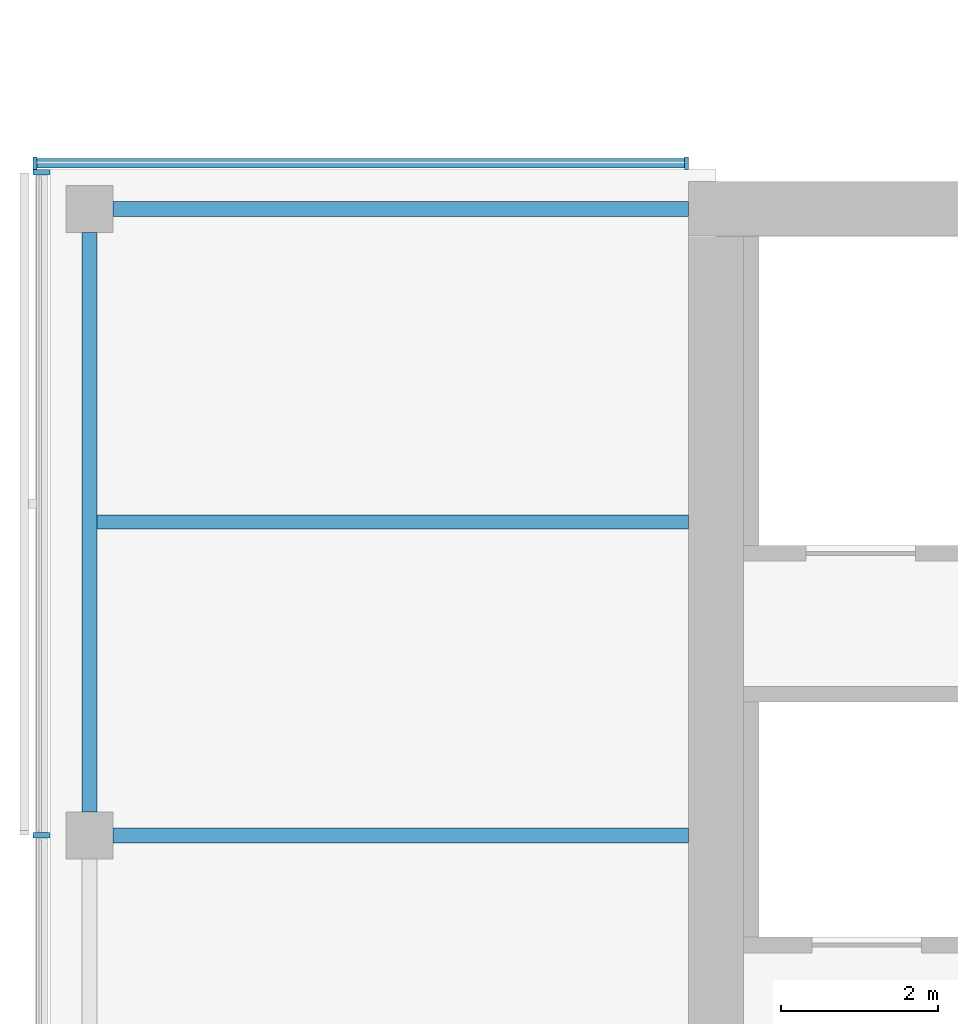
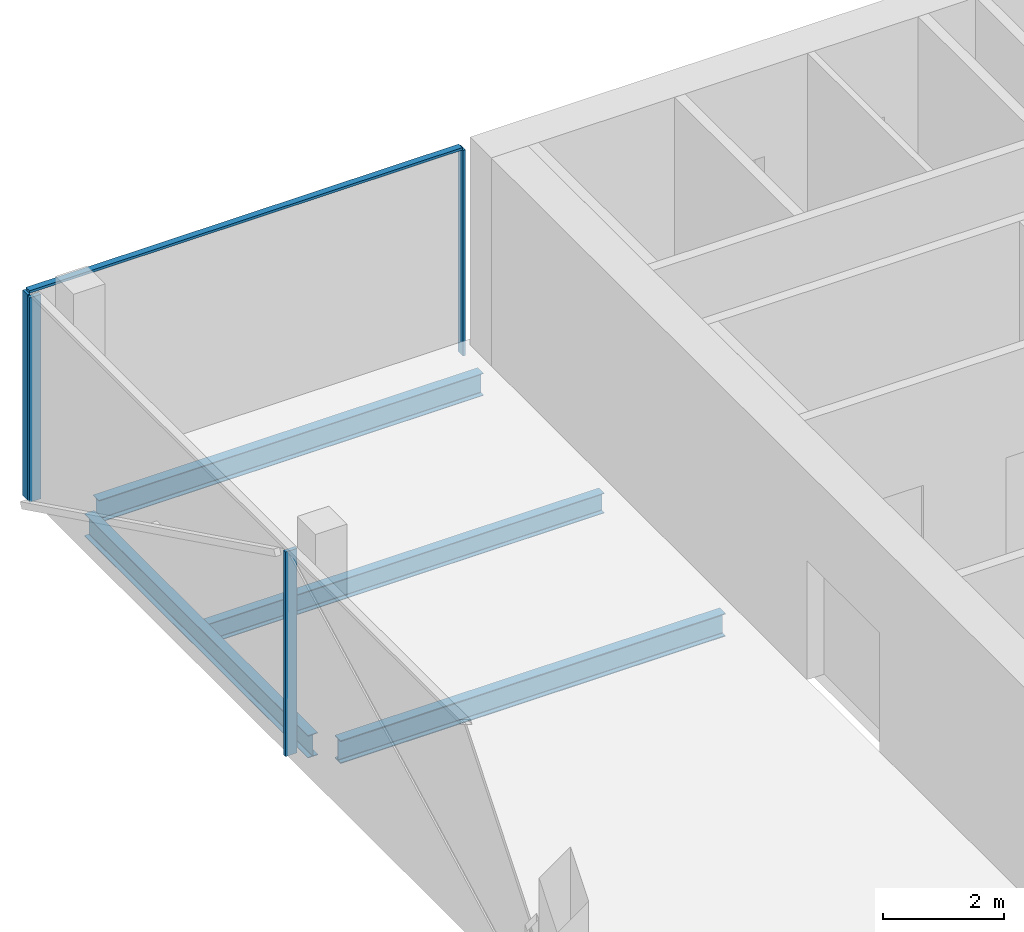
# One storey, part 7 of 22: 5 members, 4 beams, 2 elements without a shape of their own.
"""IFC4 building model written with IfcOpenShell, lengths in metres."""

from ifc_helpers import new_model, si_unit, direction, frame, origin, origin_2d, place, context, subcontext, project, spatial, rectangle, i_section, extrude, material, material_profile, profile_set, type_object, element, aggregate, save


model = new_model("IFC4")

# Units and contexts
model_context = context("Model", 3, precision=1e-05, world=origin(), true_north=direction((0.0, 1.0)))
body_context = subcontext(model_context, "Body", "Model", "MODEL_VIEW")
ifc_project = project(units=[si_unit("LENGTHUNIT", "METRE"), si_unit("AREAUNIT", "SQUARE_METRE"), si_unit("VOLUMEUNIT", "CUBIC_METRE"), si_unit("PLANEANGLEUNIT", "RADIAN"), si_unit("MASSUNIT", "GRAM", prefix="KILO")], contexts=[model_context])

# Site, building, storey
site_placement = place(None, origin())
site = spatial("IfcSite", under=ifc_project, at=site_placement, CompositionType="ELEMENT")
building_placement = place(site_placement, origin())
building = spatial("IfcBuilding", under=site, at=building_placement, Name="Crosswind Convention Tower", CompositionType="ELEMENT")
storey_placement = place(building_placement, frame((0.0, 0.0, 150.5)))
storey = spatial("IfcBuildingStorey", under=building, at=storey_placement, Name="L31", CompositionType="ELEMENT", Elevation=150.5)

# Beams
ifc_material_1 = material(Name="Steel S355", Category="steel")
ifc_material_profile_1 = material_profile(ifc_material_1, i_section(OverallWidth=0.18994140625, OverallDepth=0.45361328125, WebThickness=0.008544921875, FlangeThickness=0.0126953125, FilletRadius=0.01025390625, at=origin_2d()), Name="UB 457x191x67")
ifc_profile_set_1 = profile_set([ifc_material_profile_1], Name="Steel S355")
beam_type_1 = type_object("IfcBeamType", Name="Edge beam UB 457x191x67", PredefinedType="SPANDREL", material=ifc_profile_set_1)
beam_1_placement = place(storey_placement, frame((89.0, 104.300048828125, -0.52685546875), z_axis=(0.0, 1.0, 0.0), x_axis=(-1.0, 0.0, 0.0)))
element("IfcBeam", 1, at=beam_1_placement, inside=storey, type_object=beam_type_1, Name="B16 L31 edge beam 3", PredefinedType="SPANDREL", context=body_context, shape_type="SweptSolid", body=[
    extrude(i_section(OverallWidth=0.18994140625, OverallDepth=0.45361328125, WebThickness=0.008544921875, FlangeThickness=0.0126953125, FilletRadius=0.01025390625, at=origin_2d()), origin(), (0.0, 0.0, 1.0), 7.39990234375),
])
beam_2_placement = place(storey_placement, frame((89.300048828125, 112.0, -0.52685546875), z_axis=(1.0, 0.0, 0.0), x_axis=(0.0, 1.0, 0.0)))
element("IfcBeam", 2, at=beam_2_placement, inside=storey, type_object=beam_type_1, Name="B16 L31 edge beam 5", PredefinedType="SPANDREL", context=body_context, shape_type="SweptSolid", body=[
    extrude(i_section(OverallWidth=0.18994140625, OverallDepth=0.45361328125, WebThickness=0.008544921875, FlangeThickness=0.0126953125, FilletRadius=0.01025390625, at=origin_2d()), origin(), (0.0, 0.0, 1.0), 7.349853515625),
])
ifc_material_profile_2 = material_profile(ifc_material_1, i_section(OverallWidth=0.19189453125, OverallDepth=0.463623046875, WebThickness=0.010498046875, FlangeThickness=0.017578125, FilletRadius=0.01025390625, at=origin_2d()), Name="UB 457x191x90")
ifc_profile_set_2 = profile_set([ifc_material_profile_2], Name="Steel S355")
beam_type_2 = type_object("IfcBeamType", Name="Girder at core wall UB 457x191x90", PredefinedType="BEAM", material=ifc_profile_set_2)
beam_3_placement = place(storey_placement, frame((89.300048828125, 104.0, -0.53173828125), z_axis=(1.0, 0.0, 0.0), x_axis=(0.0, 1.0, 0.0)))
element("IfcBeam", 3, at=beam_3_placement, inside=storey, type_object=beam_type_2, Name="B24 L31 girder at core wall 2", PredefinedType="BEAM", context=body_context, shape_type="SweptSolid", body=[
    extrude(i_section(OverallWidth=0.19189453125, OverallDepth=0.463623046875, WebThickness=0.010498046875, FlangeThickness=0.017578125, FilletRadius=0.01025390625, at=origin_2d()), origin(), (0.0, 0.0, 1.0), 7.349853515625),
])

# Curtain wall, members
ifc_material_2 = material(Name="Aluminium unitised curtain wall", Category="aluminium")
curtain_wall_type_1 = type_object("IfcCurtainWallType", Name="CORE END SLOT WALL 160", PredefinedType="USERDEFINED", material=ifc_material_2)
curtain_wall_1_placement = place(storey_placement, origin())
curtain_wall_1 = element("IfcCurtainWall", 4, at=curtain_wall_1_placement, inside=storey, type_object=curtain_wall_type_1, Name="CW6 L31 W-N.2-1 slot", ObjectType="UNITISED", PredefinedType="USERDEFINED")
ifc_material_3 = material(Name="Aluminium mullion", Category="aluminium")
ifc_material_profile_3 = material_profile(ifc_material_3, rectangle(XDim=0.159912109375, YDim=0.050048828125, at=origin_2d()), Name="AL 160X50")
ifc_profile_set_3 = profile_set([ifc_material_profile_3], Name="Aluminium mullion")
member_type_1 = type_object("IfcMemberType", Name="MULLION 50X160", PredefinedType="MULLION", material=ifc_profile_set_3)
member_1_placement = place(storey_placement, frame((96.625, 112.580078125, -0.300048828125), z_axis=(0.0, 0.0, 1.0), x_axis=(0.0, 1.0, 0.0)))
member_1 = element("IfcMember", 5, at=member_1_placement, type_object=member_type_1, Name="CW6 mullion 1", PredefinedType="MULLION", context=body_context, shape_type="SweptSolid", body=[
    extrude(rectangle(XDim=0.159912109375, YDim=0.050048828125, at=origin_2d()), origin(), (0.0, 0.0, 1.0), 4.150146484375),
])
member_2_placement = place(storey_placement, frame((88.304931640625, 112.580078125, -0.300048828125), z_axis=(0.0, 0.0, 1.0), x_axis=(0.0, 1.0, 0.0)))
member_2 = element("IfcMember", 6, at=member_2_placement, type_object=member_type_1, Name="CW6 mullion 2", PredefinedType="MULLION", context=body_context, shape_type="SweptSolid", body=[
    extrude(rectangle(XDim=0.159912109375, YDim=0.050048828125, at=origin_2d()), origin(), (0.0, 0.0, 1.0), 4.150146484375),
])

curtain_wall_type_2 = type_object("IfcCurtainWallType", Name="OFFICE UNITISED WALL 220", PredefinedType="USERDEFINED", material=ifc_material_2)
curtain_wall_2_placement = place(storey_placement, origin())
curtain_wall_2 = element("IfcCurtainWall", 7, at=curtain_wall_2_placement, inside=storey, type_object=curtain_wall_type_2, Name="CW3 L31 W-TIP 1", ObjectType="UNITISED", PredefinedType="USERDEFINED")
ifc_material_profile_4 = material_profile(ifc_material_3, rectangle(XDim=0.219970703125, YDim=0.070068359375, at=origin_2d()), Name="AL 220X70")
ifc_profile_set_4 = profile_set([ifc_material_profile_4], Name="Aluminium mullion")
member_type_2 = type_object("IfcMemberType", Name="MULLION 70X220", PredefinedType="MULLION", material=ifc_profile_set_4)
member_3_placement = place(storey_placement, frame((88.389892578125, 112.465087890625, -0.300048828125), z_axis=(0.0, 0.0, 1.0), x_axis=(-1.0, 0.0, 0.0)))
member_3 = element("IfcMember", 8, at=member_3_placement, type_object=member_type_2, Name="CW3 mullion 1", PredefinedType="MULLION", context=body_context, shape_type="SweptSolid", body=[
    extrude(rectangle(XDim=0.219970703125, YDim=0.070068359375, at=origin_2d()), origin(), (0.0, 0.0, 1.0), 4.130126953125),
])
member_4_placement = place(storey_placement, frame((88.389892578125, 104.0, -0.300048828125), z_axis=(0.0, 0.0, 1.0), x_axis=(-1.0, 0.0, 0.0)))
member_4 = element("IfcMember", 9, at=member_4_placement, type_object=member_type_2, Name="CW3 mullion 2", PredefinedType="MULLION", context=body_context, shape_type="SweptSolid", body=[
    extrude(rectangle(XDim=0.219970703125, YDim=0.070068359375, at=origin_2d()), origin(), (0.0, 0.0, 1.0), 4.130126953125),
])
aggregate(curtain_wall_2, [member_3, member_4])

# Beam
ifc_material_profile_5 = material_profile(ifc_material_1, i_section(OverallWidth=0.177734375, OverallDepth=0.406494140625, WebThickness=0.0078125, FlangeThickness=0.0126953125, FilletRadius=0.01025390625, at=origin_2d()), Name="UB 406x178x60")
ifc_profile_set_5 = profile_set([ifc_material_profile_5], Name="Steel S355")
beam_type_3 = type_object("IfcBeamType", Name="Secondary beam UB 406x178x60", PredefinedType="JOIST", material=ifc_profile_set_5)
beam_4_placement = place(storey_placement, frame((89.094970703125, 108.0, -0.503173828125), z_axis=(1.0, 0.0, 0.0), x_axis=(0.0, 1.0, 0.0)))
element("IfcBeam", 10, at=beam_4_placement, inside=storey, type_object=beam_type_3, Name="B10 L31 secondary beam 3", PredefinedType="JOIST", context=body_context, shape_type="SweptSolid", body=[
    extrude(i_section(OverallWidth=0.177734375, OverallDepth=0.406494140625, WebThickness=0.0078125, FlangeThickness=0.0126953125, FilletRadius=0.01025390625, at=origin_2d()), origin(), (0.0, 0.0, 1.0), 7.554931640625),
])

# Member
ifc_material_4 = material(Name="Aluminium transom", Category="aluminium")
ifc_material_profile_6 = material_profile(ifc_material_4, rectangle(XDim=0.1201171875, YDim=0.050048828125, at=origin_2d()), Name="AL 120X50")
ifc_profile_set_6 = profile_set([ifc_material_profile_6], Name="Aluminium transom")
member_type_3 = type_object("IfcMemberType", Name="TRANSOM 50X120", PredefinedType="USERDEFINED", material=ifc_profile_set_6)
member_5_placement = place(storey_placement, frame((96.60009765625, 112.580078125, 3.875), z_axis=(-1.0, 0.0, 0.0), x_axis=(0.0, -1.0, 0.0)))
member_5 = element("IfcMember", 11, at=member_5_placement, type_object=member_type_3, Name="CW6 transom", ObjectType="TRANSOM", PredefinedType="USERDEFINED", context=body_context, shape_type="SweptSolid", body=[
    extrude(rectangle(XDim=0.1201171875, YDim=0.050048828125, at=origin_2d()), origin(), (0.0, 0.0, 1.0), 8.27001953125),
])

aggregate(curtain_wall_1, [member_1, member_2, member_5])

save(model, "model.ifc")
